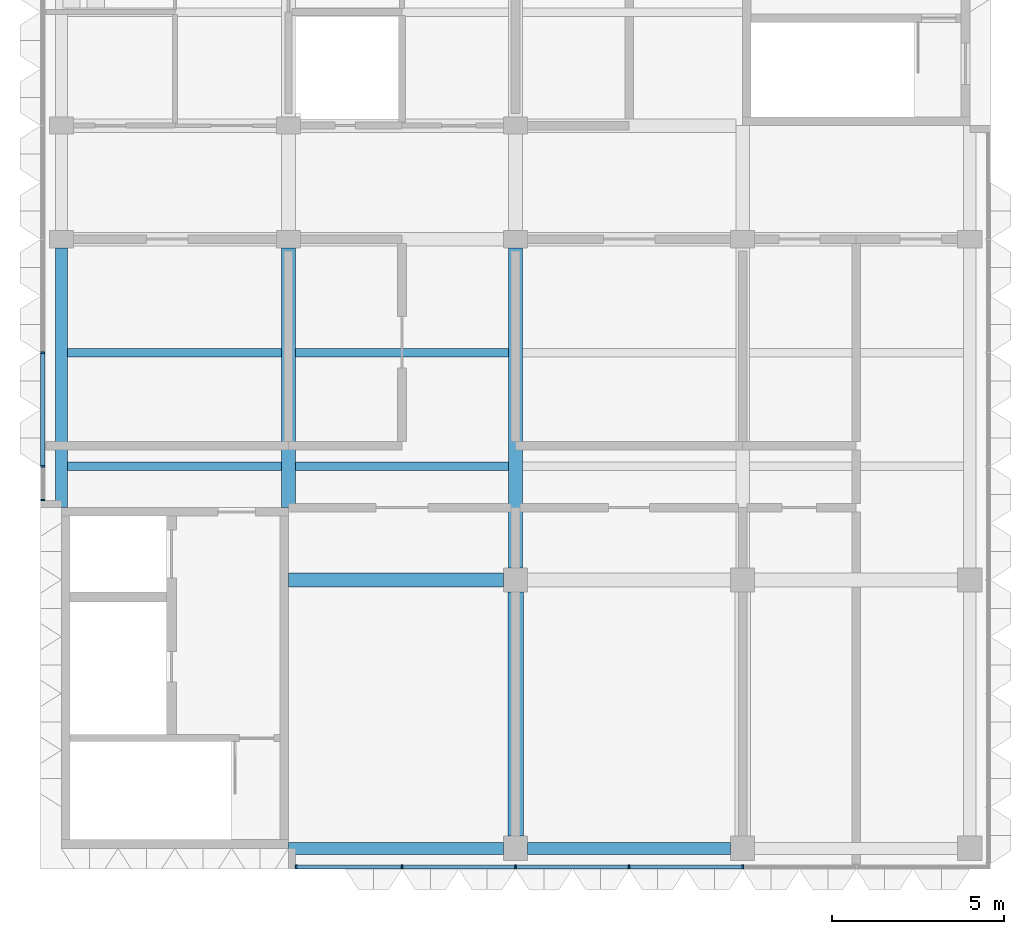
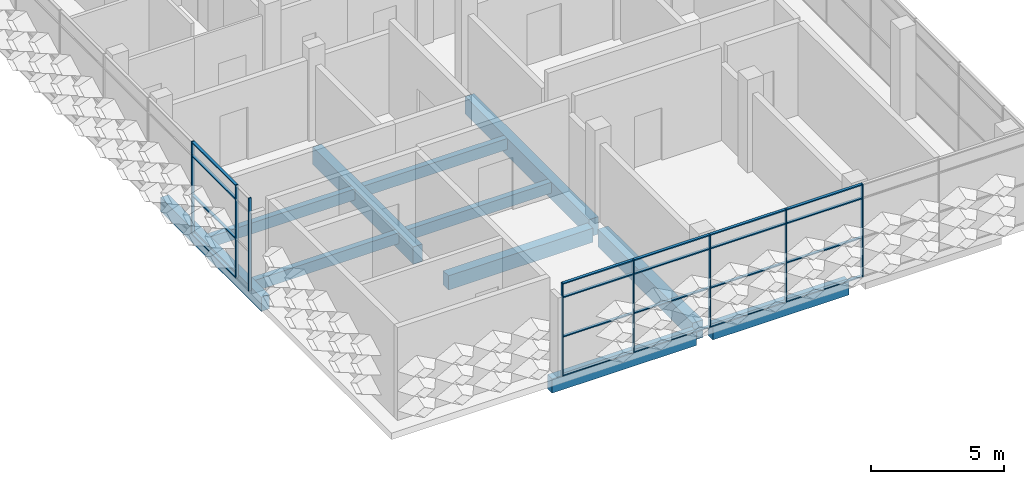
# One storey, part 2 of 21: 28 members, 11 beams, 2 elements without a shape of their own.
"""IFC4 building model written with IfcOpenShell, lengths in metres."""

from ifc_helpers import new_model, si_unit, direction, frame, origin, origin_2d, place, context, subcontext, project, spatial, rectangle, extrude, material, material_profile, profile_set, type_object, element, aggregate, save


model = new_model("IFC4")

# Units and contexts
model_context = context("Model", 3, precision=1e-05, world=origin(), true_north=direction((0.0, 1.0)))
body_context = subcontext(model_context, "Body", "Model", "MODEL_VIEW")
ifc_project = project(units=[si_unit("LENGTHUNIT", "METRE"), si_unit("AREAUNIT", "SQUARE_METRE"), si_unit("VOLUMEUNIT", "CUBIC_METRE"), si_unit("PLANEANGLEUNIT", "RADIAN"), si_unit("MASSUNIT", "GRAM", prefix="KILO")], contexts=[model_context])

# Site, building, storey
site_placement = place(None, origin())
site = spatial("IfcSite", under=ifc_project, at=site_placement, CompositionType="ELEMENT")
building_placement = place(site_placement, origin())
building = spatial("IfcBuilding", under=site, at=building_placement, Name="Lantern Court Research Institute", CompositionType="ELEMENT")
storey_placement = place(building_placement, frame((0.0, 0.0, 41.39990234375)))
storey = spatial("IfcBuildingStorey", under=building, at=storey_placement, Name="L09", CompositionType="ELEMENT", Elevation=41.39990234375)

# Curtain wall, members
ifc_material_1 = material(Name="Aluminium alloy 6063-T6", Category="aluminium")
curtain_wall_type_1 = type_object("IfcCurtainWallType", Name="Curtain wall 20200 x 4250 x 120 aluminium frame", PredefinedType="NOTDEFINED", material=ifc_material_1)
curtain_wall_1_placement = place(storey_placement, origin())
curtain_wall_1 = element("IfcCurtainWall", 1, at=curtain_wall_1_placement, inside=storey, type_object=curtain_wall_type_1, Name="Curtain wall CW091", PredefinedType="NOTDEFINED")
ifc_material_2 = material(Name="Aluminium alloy 6063-T6", Category="aluminium")
ifc_material_profile_1 = material_profile(ifc_material_2, rectangle(XDim=0.1201171875, YDim=0.050048828125, at=origin_2d()), Name="Mullion 120 x 50")
ifc_profile_set_1 = profile_set([ifc_material_profile_1], Name="Aluminium alloy 6063-T6")
member_type_1 = type_object("IfcMemberType", Name="Mullion 120 x 50 aluminium", PredefinedType="MULLION", material=ifc_profile_set_1)
member_1_placement = place(storey_placement, frame((59.625, -8.340087890625, 0.0), z_axis=(0.0, 0.0, 1.0), x_axis=(0.0, -1.0, 0.0)))
member_1 = element("IfcMember", 2, at=member_1_placement, type_object=member_type_1, Name="CW091 mullion 1", PredefinedType="MULLION", context=body_context, shape_type="SweptSolid", body=[
    extrude(rectangle(XDim=0.1201171875, YDim=0.050048828125, at=origin_2d()), origin(), (0.0, 0.0, 1.0), 4.25),
])
member_2_placement = place(storey_placement, frame((62.699951171875, -8.340087890625, 0.0), z_axis=(0.0, 0.0, 1.0), x_axis=(0.0, -1.0, 0.0)))
member_2 = element("IfcMember", 3, at=member_2_placement, type_object=member_type_1, Name="CW091 mullion 2", PredefinedType="MULLION", context=body_context, shape_type="SweptSolid", body=[
    extrude(rectangle(XDim=0.1201171875, YDim=0.050048828125, at=origin_2d()), origin(), (0.0, 0.0, 1.0), 4.25),
])
member_3_placement = place(storey_placement, frame((66.0, -8.340087890625, 0.0), z_axis=(0.0, 0.0, 1.0), x_axis=(0.0, -1.0, 0.0)))
member_3 = element("IfcMember", 4, at=member_3_placement, type_object=member_type_1, Name="CW091 mullion 3", PredefinedType="MULLION", context=body_context, shape_type="SweptSolid", body=[
    extrude(rectangle(XDim=0.1201171875, YDim=0.050048828125, at=origin_2d()), origin(), (0.0, 0.0, 1.0), 4.25),
])
member_4_placement = place(storey_placement, frame((69.300048828125, -8.340087890625, 0.0), z_axis=(0.0, 0.0, 1.0), x_axis=(0.0, -1.0, 0.0)))
member_4 = element("IfcMember", 5, at=member_4_placement, type_object=member_type_1, Name="CW091 mullion 4", PredefinedType="MULLION", context=body_context, shape_type="SweptSolid", body=[
    extrude(rectangle(XDim=0.1201171875, YDim=0.050048828125, at=origin_2d()), origin(), (0.0, 0.0, 1.0), 4.25),
])
member_5_placement = place(storey_placement, frame((72.60009765625, -8.340087890625, 0.0), z_axis=(0.0, 0.0, 1.0), x_axis=(0.0, -1.0, 0.0)))
member_5 = element("IfcMember", 6, at=member_5_placement, type_object=member_type_1, Name="CW091 mullion 5", PredefinedType="MULLION", context=body_context, shape_type="SweptSolid", body=[
    extrude(rectangle(XDim=0.1201171875, YDim=0.050048828125, at=origin_2d()), origin(), (0.0, 0.0, 1.0), 4.25),
])

ifc_material_3 = material(Name="Aluminium alloy 6063-T6", Category="aluminium")
curtain_wall_type_2 = type_object("IfcCurtainWallType", Name="Curtain wall 21250 x 4250 x 120 aluminium frame", PredefinedType="NOTDEFINED", material=ifc_material_3)
curtain_wall_2_placement = place(storey_placement, origin())
curtain_wall_2 = element("IfcCurtainWall", 7, at=curtain_wall_2_placement, inside=storey, type_object=curtain_wall_type_2, Name="Curtain wall CW092", PredefinedType="NOTDEFINED")
member_6_placement = place(storey_placement, frame((52.260009765625, 2.324951171875, 0.0), z_axis=(0.0, 0.0, 1.0), x_axis=(-1.0, 0.0, 0.0)))
member_6 = element("IfcMember", 8, at=member_6_placement, type_object=member_type_1, Name="CW092 mullion 1", PredefinedType="MULLION", context=body_context, shape_type="SweptSolid", body=[
    extrude(rectangle(XDim=0.1201171875, YDim=0.050048828125, at=origin_2d()), origin(), (0.0, 0.0, 1.0), 4.25),
])
member_7_placement = place(storey_placement, frame((52.260009765625, 3.300048828125, 0.0), z_axis=(0.0, 0.0, 1.0), x_axis=(-1.0, 0.0, 0.0)))
member_7 = element("IfcMember", 9, at=member_7_placement, type_object=member_type_1, Name="CW092 mullion 2", PredefinedType="MULLION", context=body_context, shape_type="SweptSolid", body=[
    extrude(rectangle(XDim=0.1201171875, YDim=0.050048828125, at=origin_2d()), origin(), (0.0, 0.0, 1.0), 4.25),
])
member_8_placement = place(storey_placement, frame((52.260009765625, 6.60009765625, 0.0), z_axis=(0.0, 0.0, 1.0), x_axis=(-1.0, 0.0, 0.0)))
member_8 = element("IfcMember", 10, at=member_8_placement, type_object=member_type_1, Name="CW092 mullion 3", PredefinedType="MULLION", context=body_context, shape_type="SweptSolid", body=[
    extrude(rectangle(XDim=0.1201171875, YDim=0.050048828125, at=origin_2d()), origin(), (0.0, 0.0, 1.0), 4.25),
])

# Beams
ifc_material_4 = material(Name="Concrete C40/50", Category="concrete")
ifc_material_profile_2 = material_profile(ifc_material_4, rectangle(XDim=0.39990234375, YDim=0.64990234375, at=origin_2d()), Name="RC beam 400 x 650")
ifc_profile_set_2 = profile_set([ifc_material_profile_2], Name="Concrete C40/50")
beam_type_1 = type_object("IfcBeamType", Name="RC beam 400 x 650", PredefinedType="BEAM", material=ifc_profile_set_2)
beam_1_placement = place(storey_placement, frame((59.39990234375, 0.0, -0.625), z_axis=(1.0, 0.0, 0.0), x_axis=(0.0, 1.0, 0.0)))
element("IfcBeam", 11, at=beam_1_placement, inside=storey, type_object=beam_type_1, Name="Beam L09 grid A/10-11", PredefinedType="BEAM", context=body_context, shape_type="SweptSolid", body=[
    extrude(rectangle(XDim=0.39990234375, YDim=0.64990234375, at=origin_2d()), origin(), (0.0, 0.0, 1.0), 6.25),
])
ifc_material_5 = material(Name="Concrete C40/50", Category="concrete")
ifc_material_profile_3 = material_profile(ifc_material_5, rectangle(XDim=0.35009765625, YDim=0.64990234375, at=origin_2d()), Name="RC beam 350 x 650")
ifc_profile_set_3 = profile_set([ifc_material_profile_3], Name="Concrete C40/50")
beam_type_2 = type_object("IfcBeamType", Name="RC edge beam 350 x 650", PredefinedType="BEAM", material=ifc_profile_set_3)
beam_2_placement = place(storey_placement, frame((52.800048828125, 2.10009765625, -0.625), z_axis=(0.0, 1.0, 0.0), x_axis=(-1.0, 0.0, 0.0)))
element("IfcBeam", 12, at=beam_2_placement, inside=storey, type_object=beam_type_2, Name="Edge beam L09 grid 9/A-B", PredefinedType="BEAM", context=body_context, shape_type="SweptSolid", body=[
    extrude(rectangle(XDim=0.35009765625, YDim=0.64990234375, at=origin_2d()), origin(), (0.0, 0.0, 1.0), 7.5498046875),
])
beam_3_placement = place(storey_placement, frame((59.39990234375, -7.800048828125, -0.625), z_axis=(1.0, 0.0, 0.0), x_axis=(0.0, 1.0, 0.0)))
element("IfcBeam", 13, at=beam_3_placement, inside=storey, type_object=beam_type_2, Name="Edge beam L09 grid Z/10-11", PredefinedType="BEAM", context=body_context, shape_type="SweptSolid", body=[
    extrude(rectangle(XDim=0.35009765625, YDim=0.64990234375, at=origin_2d()), origin(), (0.0, 0.0, 1.0), 6.25),
])
beam_4_placement = place(storey_placement, frame((66.35009765625, -7.800048828125, -0.625), z_axis=(1.0, 0.0, 0.0), x_axis=(0.0, 1.0, 0.0)))
element("IfcBeam", 14, at=beam_4_placement, inside=storey, type_object=beam_type_2, Name="Edge beam L09 grid Z/11-12", PredefinedType="BEAM", context=body_context, shape_type="SweptSolid", body=[
    extrude(rectangle(XDim=0.35009765625, YDim=0.64990234375, at=origin_2d()), origin(), (0.0, 0.0, 1.0), 5.89990234375),
])
ifc_material_6 = material(Name="Concrete C40/50", Category="concrete")
ifc_material_profile_4 = material_profile(ifc_material_6, rectangle(XDim=0.39990234375, YDim=0.800048828125, at=origin_2d()), Name="RC beam 400 x 800")
ifc_profile_set_4 = profile_set([ifc_material_profile_4], Name="Concrete C40/50")
beam_type_3 = type_object("IfcBeamType", Name="RC girder 400 x 800", PredefinedType="BEAM", material=ifc_profile_set_4)
beam_5_placement = place(storey_placement, frame((59.39990234375, 2.10009765625, -0.699951171875), z_axis=(0.0, 1.0, 0.0), x_axis=(-1.0, 0.0, 0.0)))
element("IfcBeam", 15, at=beam_5_placement, inside=storey, type_object=beam_type_3, Name="Girder L09 grid 10/A-B", PredefinedType="BEAM", context=body_context, shape_type="SweptSolid", body=[
    extrude(rectangle(XDim=0.39990234375, YDim=0.800048828125, at=origin_2d()), origin(), (0.0, 0.0, 1.0), 7.5498046875),
])
beam_6_placement = place(storey_placement, frame((66.0, 0.35009765625, -0.699951171875), z_axis=(0.0, 1.0, 0.0), x_axis=(-1.0, 0.0, 0.0)))
element("IfcBeam", 16, at=beam_6_placement, inside=storey, type_object=beam_type_3, Name="Girder L09 grid 11/A-B", PredefinedType="BEAM", context=body_context, shape_type="SweptSolid", body=[
    extrude(rectangle(XDim=0.39990234375, YDim=0.800048828125, at=origin_2d()), origin(), (0.0, 0.0, 1.0), 9.2998046875),
])
ifc_material_7 = material(Name="Concrete C40/50", Category="concrete")
ifc_material_profile_5 = material_profile(ifc_material_7, rectangle(XDim=0.449951171875, YDim=0.800048828125, at=origin_2d()), Name="RC beam 450 x 800")
ifc_profile_set_5 = profile_set([ifc_material_profile_5], Name="Concrete C40/50")
beam_type_4 = type_object("IfcBeamType", Name="RC girder 450 x 800", PredefinedType="BEAM", material=ifc_profile_set_5)
beam_7_placement = place(storey_placement, frame((66.0, -7.449951171875, -0.699951171875), z_axis=(0.0, 1.0, 0.0), x_axis=(-1.0, 0.0, 0.0)))
element("IfcBeam", 17, at=beam_7_placement, inside=storey, type_object=beam_type_4, Name="Girder L09 grid 11/Z-A", PredefinedType="BEAM", context=body_context, shape_type="SweptSolid", body=[
    extrude(rectangle(XDim=0.449951171875, YDim=0.800048828125, at=origin_2d()), origin(), (0.0, 0.0, 1.0), 7.099853515625),
])
ifc_material_8 = material(Name="Concrete C40/50", Category="concrete")
ifc_material_profile_6 = material_profile(ifc_material_8, rectangle(XDim=0.25, YDim=0.5, at=origin_2d()), Name="RC beam 250 x 500")
ifc_profile_set_6 = profile_set([ifc_material_profile_6], Name="Concrete C40/50")
beam_type_5 = type_object("IfcBeamType", Name="RC secondary beam 250 x 500", PredefinedType="BEAM", material=ifc_profile_set_6)
beam_8_placement = place(storey_placement, frame((52.97509765625, 3.300048828125, -0.5498046875), z_axis=(1.0, 0.0, 0.0), x_axis=(0.0, 1.0, 0.0)))
element("IfcBeam", 18, at=beam_8_placement, inside=storey, type_object=beam_type_5, Name="Secondary beam L09 grids 9-10 / A-B, line 1", PredefinedType="BEAM", context=body_context, shape_type="SweptSolid", body=[
    extrude(rectangle(XDim=0.25, YDim=0.5, at=origin_2d()), origin(), (0.0, 0.0, 1.0), 6.224853515625),
])
beam_9_placement = place(storey_placement, frame((59.60009765625, 3.300048828125, -0.5498046875), z_axis=(1.0, 0.0, 0.0), x_axis=(0.0, 1.0, 0.0)))
element("IfcBeam", 19, at=beam_9_placement, inside=storey, type_object=beam_type_5, Name="Secondary beam L09 grids 10-11 / A-B, line 1", PredefinedType="BEAM", context=body_context, shape_type="SweptSolid", body=[
    extrude(rectangle(XDim=0.25, YDim=0.5, at=origin_2d()), origin(), (0.0, 0.0, 1.0), 6.199951171875),
])
beam_10_placement = place(storey_placement, frame((52.97509765625, 6.60009765625, -0.5498046875), z_axis=(1.0, 0.0, 0.0), x_axis=(0.0, 1.0, 0.0)))
element("IfcBeam", 20, at=beam_10_placement, inside=storey, type_object=beam_type_5, Name="Secondary beam L09 grids 9-10 / A-B, line 2", PredefinedType="BEAM", context=body_context, shape_type="SweptSolid", body=[
    extrude(rectangle(XDim=0.25, YDim=0.5, at=origin_2d()), origin(), (0.0, 0.0, 1.0), 6.224853515625),
])
beam_11_placement = place(storey_placement, frame((59.60009765625, 6.60009765625, -0.5498046875), z_axis=(1.0, 0.0, 0.0), x_axis=(0.0, 1.0, 0.0)))
element("IfcBeam", 21, at=beam_11_placement, inside=storey, type_object=beam_type_5, Name="Secondary beam L09 grids 10-11 / A-B, line 2", PredefinedType="BEAM", context=body_context, shape_type="SweptSolid", body=[
    extrude(rectangle(XDim=0.25, YDim=0.5, at=origin_2d()), origin(), (0.0, 0.0, 1.0), 6.199951171875),
])

# Member
ifc_material_9 = material(Name="Aluminium alloy 6063-T6", Category="aluminium")
ifc_material_profile_7 = material_profile(ifc_material_9, rectangle(XDim=0.1201171875, YDim=0.050048828125, at=origin_2d()), Name="Transom 120 x 50")
ifc_profile_set_7 = profile_set([ifc_material_profile_7], Name="Aluminium alloy 6063-T6")
member_type_2 = type_object("IfcMemberType", Name="Transom 120 x 50 aluminium", PredefinedType="USERDEFINED", material=ifc_profile_set_7)
member_9_placement = place(storey_placement, frame((62.675048828125, -8.340087890625, 0.025146484375), z_axis=(-1.0, 0.0, 0.0), x_axis=(0.0, -1.0, 0.0)))
member_9 = element("IfcMember", 22, at=member_9_placement, type_object=member_type_2, Name="CW091 transom 1.1", ObjectType="TRANSOM", PredefinedType="USERDEFINED", context=body_context, shape_type="SweptSolid", body=[
    extrude(rectangle(XDim=0.1201171875, YDim=0.050048828125, at=origin_2d()), origin(), (0.0, 0.0, 1.0), 3.025146484375),
])

member_10_placement = place(storey_placement, frame((62.675048828125, -8.340087890625, 1.800048828125), z_axis=(-1.0, 0.0, 0.0), x_axis=(0.0, -1.0, 0.0)))
member_10 = element("IfcMember", 23, at=member_10_placement, type_object=member_type_2, Name="CW091 transom 1.2", ObjectType="TRANSOM", PredefinedType="USERDEFINED", context=body_context, shape_type="SweptSolid", body=[
    extrude(rectangle(XDim=0.1201171875, YDim=0.050048828125, at=origin_2d()), origin(), (0.0, 0.0, 1.0), 3.025146484375),
])

member_11_placement = place(storey_placement, frame((62.675048828125, -8.340087890625, 3.60009765625), z_axis=(-1.0, 0.0, 0.0), x_axis=(0.0, -1.0, 0.0)))
member_11 = element("IfcMember", 24, at=member_11_placement, type_object=member_type_2, Name="CW091 transom 1.3", ObjectType="TRANSOM", PredefinedType="USERDEFINED", context=body_context, shape_type="SweptSolid", body=[
    extrude(rectangle(XDim=0.1201171875, YDim=0.050048828125, at=origin_2d()), origin(), (0.0, 0.0, 1.0), 3.025146484375),
])

member_12_placement = place(storey_placement, frame((62.675048828125, -8.340087890625, 4.22509765625), z_axis=(-1.0, 0.0, 0.0), x_axis=(0.0, -1.0, 0.0)))
member_12 = element("IfcMember", 25, at=member_12_placement, type_object=member_type_2, Name="CW091 transom 1.4", ObjectType="TRANSOM", PredefinedType="USERDEFINED", context=body_context, shape_type="SweptSolid", body=[
    extrude(rectangle(XDim=0.1201171875, YDim=0.050048828125, at=origin_2d()), origin(), (0.0, 0.0, 1.0), 3.025146484375),
])

member_13_placement = place(storey_placement, frame((65.97509765625, -8.340087890625, 0.025146484375), z_axis=(-1.0, 0.0, 0.0), x_axis=(0.0, -1.0, 0.0)))
member_13 = element("IfcMember", 26, at=member_13_placement, type_object=member_type_2, Name="CW091 transom 2.1", ObjectType="TRANSOM", PredefinedType="USERDEFINED", context=body_context, shape_type="SweptSolid", body=[
    extrude(rectangle(XDim=0.1201171875, YDim=0.050048828125, at=origin_2d()), origin(), (0.0, 0.0, 1.0), 3.25),
])

member_14_placement = place(storey_placement, frame((65.97509765625, -8.340087890625, 1.800048828125), z_axis=(-1.0, 0.0, 0.0), x_axis=(0.0, -1.0, 0.0)))
member_14 = element("IfcMember", 27, at=member_14_placement, type_object=member_type_2, Name="CW091 transom 2.2", ObjectType="TRANSOM", PredefinedType="USERDEFINED", context=body_context, shape_type="SweptSolid", body=[
    extrude(rectangle(XDim=0.1201171875, YDim=0.050048828125, at=origin_2d()), origin(), (0.0, 0.0, 1.0), 3.25),
])

member_15_placement = place(storey_placement, frame((65.97509765625, -8.340087890625, 3.60009765625), z_axis=(-1.0, 0.0, 0.0), x_axis=(0.0, -1.0, 0.0)))
member_15 = element("IfcMember", 28, at=member_15_placement, type_object=member_type_2, Name="CW091 transom 2.3", ObjectType="TRANSOM", PredefinedType="USERDEFINED", context=body_context, shape_type="SweptSolid", body=[
    extrude(rectangle(XDim=0.1201171875, YDim=0.050048828125, at=origin_2d()), origin(), (0.0, 0.0, 1.0), 3.25),
])

member_16_placement = place(storey_placement, frame((65.97509765625, -8.340087890625, 4.22509765625), z_axis=(-1.0, 0.0, 0.0), x_axis=(0.0, -1.0, 0.0)))
member_16 = element("IfcMember", 29, at=member_16_placement, type_object=member_type_2, Name="CW091 transom 2.4", ObjectType="TRANSOM", PredefinedType="USERDEFINED", context=body_context, shape_type="SweptSolid", body=[
    extrude(rectangle(XDim=0.1201171875, YDim=0.050048828125, at=origin_2d()), origin(), (0.0, 0.0, 1.0), 3.25),
])

member_17_placement = place(storey_placement, frame((69.27490234375, -8.340087890625, 0.025146484375), z_axis=(-1.0, 0.0, 0.0), x_axis=(0.0, -1.0, 0.0)))
member_17 = element("IfcMember", 30, at=member_17_placement, type_object=member_type_2, Name="CW091 transom 3.1", ObjectType="TRANSOM", PredefinedType="USERDEFINED", context=body_context, shape_type="SweptSolid", body=[
    extrude(rectangle(XDim=0.1201171875, YDim=0.050048828125, at=origin_2d()), origin(), (0.0, 0.0, 1.0), 3.25),
])

member_18_placement = place(storey_placement, frame((69.27490234375, -8.340087890625, 1.800048828125), z_axis=(-1.0, 0.0, 0.0), x_axis=(0.0, -1.0, 0.0)))
member_18 = element("IfcMember", 31, at=member_18_placement, type_object=member_type_2, Name="CW091 transom 3.2", ObjectType="TRANSOM", PredefinedType="USERDEFINED", context=body_context, shape_type="SweptSolid", body=[
    extrude(rectangle(XDim=0.1201171875, YDim=0.050048828125, at=origin_2d()), origin(), (0.0, 0.0, 1.0), 3.25),
])

member_19_placement = place(storey_placement, frame((69.27490234375, -8.340087890625, 3.60009765625), z_axis=(-1.0, 0.0, 0.0), x_axis=(0.0, -1.0, 0.0)))
member_19 = element("IfcMember", 32, at=member_19_placement, type_object=member_type_2, Name="CW091 transom 3.3", ObjectType="TRANSOM", PredefinedType="USERDEFINED", context=body_context, shape_type="SweptSolid", body=[
    extrude(rectangle(XDim=0.1201171875, YDim=0.050048828125, at=origin_2d()), origin(), (0.0, 0.0, 1.0), 3.25),
])

member_20_placement = place(storey_placement, frame((69.27490234375, -8.340087890625, 4.22509765625), z_axis=(-1.0, 0.0, 0.0), x_axis=(0.0, -1.0, 0.0)))
member_20 = element("IfcMember", 33, at=member_20_placement, type_object=member_type_2, Name="CW091 transom 3.4", ObjectType="TRANSOM", PredefinedType="USERDEFINED", context=body_context, shape_type="SweptSolid", body=[
    extrude(rectangle(XDim=0.1201171875, YDim=0.050048828125, at=origin_2d()), origin(), (0.0, 0.0, 1.0), 3.25),
])

member_21_placement = place(storey_placement, frame((72.574951171875, -8.340087890625, 0.025146484375), z_axis=(-1.0, 0.0, 0.0), x_axis=(0.0, -1.0, 0.0)))
member_21 = element("IfcMember", 34, at=member_21_placement, type_object=member_type_2, Name="CW091 transom 4.1", ObjectType="TRANSOM", PredefinedType="USERDEFINED", context=body_context, shape_type="SweptSolid", body=[
    extrude(rectangle(XDim=0.1201171875, YDim=0.050048828125, at=origin_2d()), origin(), (0.0, 0.0, 1.0), 3.25),
])

member_22_placement = place(storey_placement, frame((72.574951171875, -8.340087890625, 1.800048828125), z_axis=(-1.0, 0.0, 0.0), x_axis=(0.0, -1.0, 0.0)))
member_22 = element("IfcMember", 35, at=member_22_placement, type_object=member_type_2, Name="CW091 transom 4.2", ObjectType="TRANSOM", PredefinedType="USERDEFINED", context=body_context, shape_type="SweptSolid", body=[
    extrude(rectangle(XDim=0.1201171875, YDim=0.050048828125, at=origin_2d()), origin(), (0.0, 0.0, 1.0), 3.25),
])

member_23_placement = place(storey_placement, frame((72.574951171875, -8.340087890625, 3.60009765625), z_axis=(-1.0, 0.0, 0.0), x_axis=(0.0, -1.0, 0.0)))
member_23 = element("IfcMember", 36, at=member_23_placement, type_object=member_type_2, Name="CW091 transom 4.3", ObjectType="TRANSOM", PredefinedType="USERDEFINED", context=body_context, shape_type="SweptSolid", body=[
    extrude(rectangle(XDim=0.1201171875, YDim=0.050048828125, at=origin_2d()), origin(), (0.0, 0.0, 1.0), 3.25),
])

member_24_placement = place(storey_placement, frame((72.574951171875, -8.340087890625, 4.22509765625), z_axis=(-1.0, 0.0, 0.0), x_axis=(0.0, -1.0, 0.0)))
member_24 = element("IfcMember", 37, at=member_24_placement, type_object=member_type_2, Name="CW091 transom 4.4", ObjectType="TRANSOM", PredefinedType="USERDEFINED", context=body_context, shape_type="SweptSolid", body=[
    extrude(rectangle(XDim=0.1201171875, YDim=0.050048828125, at=origin_2d()), origin(), (0.0, 0.0, 1.0), 3.25),
])

aggregate(curtain_wall_1, [member_1, member_2, member_3, member_4, member_5, member_9, member_10, member_11, member_12, member_13, member_14, member_15, member_16, member_17, member_18, member_19, member_20, member_21, member_22, member_23, member_24])

member_25_placement = place(storey_placement, frame((52.260009765625, 3.324951171875, 0.025146484375), z_axis=(0.0, 1.0, 0.0), x_axis=(-1.0, 0.0, 0.0)))
member_25 = element("IfcMember", 38, at=member_25_placement, type_object=member_type_2, Name="CW092 transom 2.1", ObjectType="TRANSOM", PredefinedType="USERDEFINED", context=body_context, shape_type="SweptSolid", body=[
    extrude(rectangle(XDim=0.1201171875, YDim=0.050048828125, at=origin_2d()), origin(), (0.0, 0.0, 1.0), 3.25),
])

member_26_placement = place(storey_placement, frame((52.260009765625, 3.324951171875, 1.800048828125), z_axis=(0.0, 1.0, 0.0), x_axis=(-1.0, 0.0, 0.0)))
member_26 = element("IfcMember", 39, at=member_26_placement, type_object=member_type_2, Name="CW092 transom 2.2", ObjectType="TRANSOM", PredefinedType="USERDEFINED", context=body_context, shape_type="SweptSolid", body=[
    extrude(rectangle(XDim=0.1201171875, YDim=0.050048828125, at=origin_2d()), origin(), (0.0, 0.0, 1.0), 3.25),
])

member_27_placement = place(storey_placement, frame((52.260009765625, 3.324951171875, 3.60009765625), z_axis=(0.0, 1.0, 0.0), x_axis=(-1.0, 0.0, 0.0)))
member_27 = element("IfcMember", 40, at=member_27_placement, type_object=member_type_2, Name="CW092 transom 2.3", ObjectType="TRANSOM", PredefinedType="USERDEFINED", context=body_context, shape_type="SweptSolid", body=[
    extrude(rectangle(XDim=0.1201171875, YDim=0.050048828125, at=origin_2d()), origin(), (0.0, 0.0, 1.0), 3.25),
])

member_28_placement = place(storey_placement, frame((52.260009765625, 3.324951171875, 4.22509765625), z_axis=(0.0, 1.0, 0.0), x_axis=(-1.0, 0.0, 0.0)))
member_28 = element("IfcMember", 41, at=member_28_placement, type_object=member_type_2, Name="CW092 transom 2.4", ObjectType="TRANSOM", PredefinedType="USERDEFINED", context=body_context, shape_type="SweptSolid", body=[
    extrude(rectangle(XDim=0.1201171875, YDim=0.050048828125, at=origin_2d()), origin(), (0.0, 0.0, 1.0), 3.25),
])

aggregate(curtain_wall_2, [member_6, member_7, member_8, member_25, member_26, member_27, member_28])

save(model, "model.ifc")
